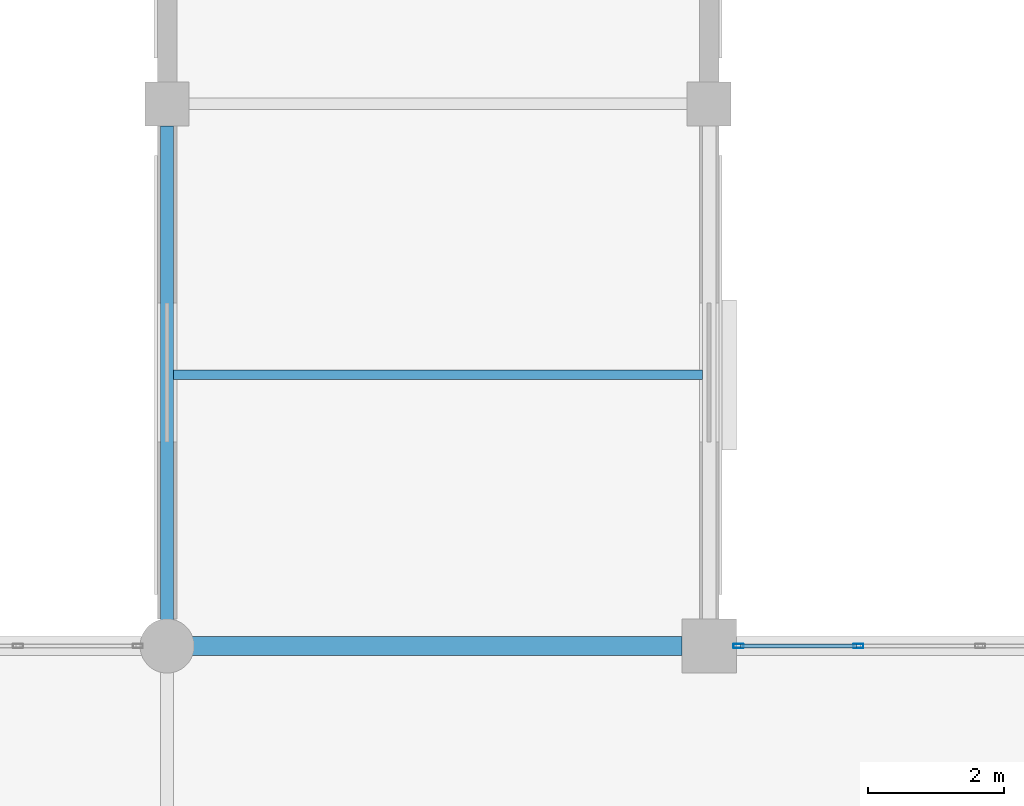
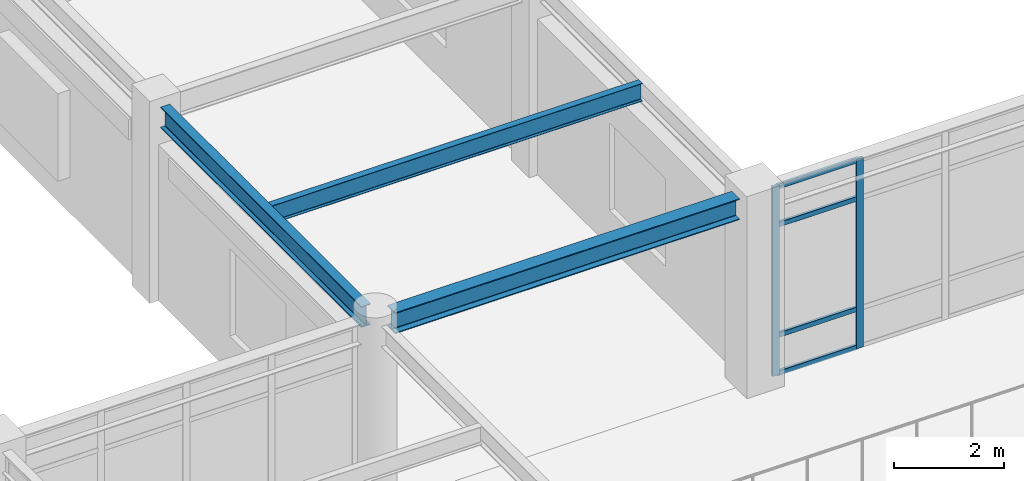
# One storey, part 37 of 75: 6 members, 3 beams, 1 element without a shape of its own.
"""IFC4 building model written with IfcOpenShell, lengths in metres."""

from ifc_helpers import new_model, si_unit, direction, frame, origin, origin_2d, place, context, subcontext, project, spatial, hollow_rectangle, i_section, extrude, material, material_profile, profile_set, type_object, element, aggregate, save


model = new_model("IFC4")

# Units and contexts
model_context = context("Model", 3, precision=1e-05, world=origin(), true_north=direction((0.0, 1.0)))
body_context = subcontext(model_context, "Body", "Model", "MODEL_VIEW")
ifc_project = project(units=[si_unit("LENGTHUNIT", "METRE"), si_unit("AREAUNIT", "SQUARE_METRE"), si_unit("VOLUMEUNIT", "CUBIC_METRE"), si_unit("PLANEANGLEUNIT", "RADIAN"), si_unit("MASSUNIT", "GRAM", prefix="KILO")], contexts=[model_context])

# Site, building, storey
site_placement = place(None, origin())
site = spatial("IfcSite", under=ifc_project, at=site_placement, CompositionType="ELEMENT")
building_placement = place(site_placement, origin())
building = spatial("IfcBuilding", under=site, at=building_placement, Name="Solmirada Galleria", CompositionType="ELEMENT")
storey_placement = place(building_placement, frame((0.0, 0.0, 19.39990234375)))
storey = spatial("IfcBuildingStorey", under=building, at=storey_placement, Name="L04", CompositionType="ELEMENT", Elevation=19.39990234375)

# Beams
ifc_material_1 = material(Name="Steel S355 / ASTM A992 Grade 50", Category="steel")
ifc_material_profile_1 = material_profile(ifc_material_1, i_section(OverallWidth=0.281982421875, OverallDepth=0.467041015625, WebThickness=0.01220703125, FlangeThickness=0.01953125, FilletRadius=0.013916015625, at=origin_2d()), Name="W18X86")
ifc_profile_set_1 = profile_set([ifc_material_profile_1], Name="Steel S355 / ASTM A992 Grade 50")
beam_type_1 = type_object("IfcBeamType", Name="BM-GIRD-W18A", PredefinedType="BEAM", material=ifc_profile_set_1)
beam_1_placement = place(storey_placement, frame((88.3359375, 72.0, 4.066650390625), z_axis=(1.0, 0.0, 0.0), x_axis=(0.0, 1.0, 0.0)))
element("IfcBeam", 1, at=beam_1_placement, inside=storey, type_object=beam_type_1, Name="Primary beam L05 X(88..96, 72)", PredefinedType="BEAM", context=body_context, shape_type="SweptSolid", body=[
    extrude(i_section(OverallWidth=0.281982421875, OverallDepth=0.467041015625, WebThickness=0.01220703125, FlangeThickness=0.01953125, FilletRadius=0.013916015625, at=origin_2d()), origin(), (0.0, 0.0, 1.0), 7.26416015625),
])
ifc_material_profile_2 = material_profile(ifc_material_1, i_section(OverallWidth=0.193115234375, OverallDepth=0.466064453125, WebThickness=0.011474609375, FlangeThickness=0.01904296875, FilletRadius=0.013916015625, at=origin_2d()), Name="W18X65")
ifc_profile_set_2 = profile_set([ifc_material_profile_2], Name="Steel S355 / ASTM A992 Grade 50")
beam_type_2 = type_object("IfcBeamType", Name="BM-GIRD-W18C", PredefinedType="BEAM", material=ifc_profile_set_2)
beam_2_placement = place(storey_placement, frame((88.0, 72.3359375, 4.067138671875), z_axis=(0.0, 1.0, 0.0), x_axis=(-1.0, 0.0, 0.0)))
element("IfcBeam", 2, at=beam_2_placement, inside=storey, type_object=beam_type_2, Name="Primary girder L05 Y(88, 72..80)", PredefinedType="BEAM", context=body_context, shape_type="SweptSolid", body=[
    extrude(i_section(OverallWidth=0.193115234375, OverallDepth=0.466064453125, WebThickness=0.011474609375, FlangeThickness=0.01904296875, FilletRadius=0.013916015625, at=origin_2d()), origin(), (0.0, 0.0, 1.0), 7.339111328125),
])
ifc_material_profile_3 = material_profile(ifc_material_1, i_section(OverallWidth=0.139892578125, OverallDepth=0.39892578125, WebThickness=0.00634765625, FlangeThickness=0.0087890625, FilletRadius=0.010986328125, at=origin_2d()), Name="W16X26")
ifc_profile_set_3 = profile_set([ifc_material_profile_3], Name="Steel S355 / ASTM A992 Grade 50")
beam_type_3 = type_object("IfcBeamType", Name="BM-JST-W16C", PredefinedType="JOIST", material=ifc_profile_set_3)
beam_3_placement = place(storey_placement, frame((88.096435546875, 76.0, 4.1005859375), z_axis=(1.0, 0.0, 0.0), x_axis=(0.0, 1.0, 0.0)))
element("IfcBeam", 3, at=beam_3_placement, inside=storey, type_object=beam_type_3, Name="Composite floor joist L05 (88..96, 76.0)", PredefinedType="JOIST", context=body_context, shape_type="SweptSolid", body=[
    extrude(i_section(OverallWidth=0.139892578125, OverallDepth=0.39892578125, WebThickness=0.00634765625, FlangeThickness=0.0087890625, FilletRadius=0.010986328125, at=origin_2d()), origin(), (0.0, 0.0, 1.0), 7.80712890625),
])

# Curtain wall, members
ifc_material_2 = material(Name="Impact-resistant low-E double glazing", Category="glass")
curtain_wall_type = type_object("IfcCurtainWallType", Name="CW-FZ3-L04-B4-L072", PredefinedType="NOTDEFINED", material=ifc_material_2)
curtain_wall_placement = place(storey_placement, origin())
curtain_wall = element("IfcCurtainWall", 4, at=curtain_wall_placement, inside=storey, type_object=curtain_wall_type, Name="Terrace and arcade storefront CW-L04-152", PredefinedType="NOTDEFINED")
ifc_material_3 = material(Name="Anodised aluminium framing", Category="aluminium")
ifc_material_profile_4 = material_profile(ifc_material_3, hollow_rectangle(XDim=0.06005859375, YDim=0.14990234375, WallThickness=0.00341796875, InnerFilletRadius=0.00341796875, OuterFilletRadius=0.007080078125, at=origin_2d()), Name="ALU-MULL-150X60")
ifc_profile_set_4 = profile_set([ifc_material_profile_4], Name="Anodised aluminium framing")
member_type_1 = type_object("IfcMemberType", Name="CW-MULL-150", PredefinedType="MULLION", material=ifc_profile_set_4)
member_1_placement = place(storey_placement, frame((96.431884765625, 72.0, 0.0), z_axis=(0.0, 0.0, 1.0), x_axis=(0.0, 1.0, 0.0)))
member_1 = element("IfcMember", 5, at=member_1_placement, type_object=member_type_1, Name="CW30 mullion 1", PredefinedType="MULLION", context=body_context, shape_type="SweptSolid", body=[
    extrude(hollow_rectangle(XDim=0.06005859375, YDim=0.14990234375, WallThickness=0.00341796875, InnerFilletRadius=0.00341796875, OuterFilletRadius=0.007080078125, at=origin_2d()), origin(), (0.0, 0.0, 1.0), 4.22021484375),
])
member_2_placement = place(storey_placement, frame((98.200927734375, 72.0, 0.0), z_axis=(0.0, 0.0, 1.0), x_axis=(0.0, 1.0, 0.0)))
member_2 = element("IfcMember", 6, at=member_2_placement, type_object=member_type_1, Name="CW30 mullion 2", PredefinedType="MULLION", context=body_context, shape_type="SweptSolid", body=[
    extrude(hollow_rectangle(XDim=0.06005859375, YDim=0.14990234375, WallThickness=0.00341796875, InnerFilletRadius=0.00341796875, OuterFilletRadius=0.007080078125, at=origin_2d()), origin(), (0.0, 0.0, 1.0), 4.22021484375),
])
ifc_material_profile_5 = material_profile(ifc_material_3, hollow_rectangle(XDim=0.06005859375, YDim=0.110107421875, WallThickness=0.003173828125, InnerFilletRadius=0.003173828125, OuterFilletRadius=0.00634765625, at=origin_2d()), Name="ALU-TRAN-110X60")
ifc_profile_set_5 = profile_set([ifc_material_profile_5], Name="Anodised aluminium framing")
member_type_2 = type_object("IfcMemberType", Name="CW-TRAN-110", PredefinedType="USERDEFINED", material=ifc_profile_set_5)
member_3_placement = place(storey_placement, frame((96.4619140625, 72.0, 0.030029296875), z_axis=(1.0, 0.0, 0.0), x_axis=(0.0, 1.0, 0.0)))
member_3 = element("IfcMember", 7, at=member_3_placement, type_object=member_type_2, Name="CW30 transom 1.1", ObjectType="TRANSOM", PredefinedType="USERDEFINED", context=body_context, shape_type="SweptSolid", body=[
    extrude(hollow_rectangle(XDim=0.06005859375, YDim=0.110107421875, WallThickness=0.003173828125, InnerFilletRadius=0.003173828125, OuterFilletRadius=0.00634765625, at=origin_2d()), origin(), (0.0, 0.0, 1.0), 1.708984375),
])
member_4_placement = place(storey_placement, frame((96.4619140625, 72.0, 0.880126953125), z_axis=(1.0, 0.0, 0.0), x_axis=(0.0, 1.0, 0.0)))
member_4 = element("IfcMember", 8, at=member_4_placement, type_object=member_type_2, Name="CW30 transom 1.2", ObjectType="TRANSOM", PredefinedType="USERDEFINED", context=body_context, shape_type="SweptSolid", body=[
    extrude(hollow_rectangle(XDim=0.06005859375, YDim=0.110107421875, WallThickness=0.003173828125, InnerFilletRadius=0.003173828125, OuterFilletRadius=0.00634765625, at=origin_2d()), origin(), (0.0, 0.0, 1.0), 1.708984375),
])
member_5_placement = place(storey_placement, frame((96.4619140625, 72.0, 3.340087890625), z_axis=(1.0, 0.0, 0.0), x_axis=(0.0, 1.0, 0.0)))
member_5 = element("IfcMember", 9, at=member_5_placement, type_object=member_type_2, Name="CW30 transom 1.3", ObjectType="TRANSOM", PredefinedType="USERDEFINED", context=body_context, shape_type="SweptSolid", body=[
    extrude(hollow_rectangle(XDim=0.06005859375, YDim=0.110107421875, WallThickness=0.003173828125, InnerFilletRadius=0.003173828125, OuterFilletRadius=0.00634765625, at=origin_2d()), origin(), (0.0, 0.0, 1.0), 1.708984375),
])
member_6_placement = place(storey_placement, frame((96.4619140625, 72.0, 4.190185546875), z_axis=(1.0, 0.0, 0.0), x_axis=(0.0, 1.0, 0.0)))
member_6 = element("IfcMember", 10, at=member_6_placement, type_object=member_type_2, Name="CW30 transom 1.4", ObjectType="TRANSOM", PredefinedType="USERDEFINED", context=body_context, shape_type="SweptSolid", body=[
    extrude(hollow_rectangle(XDim=0.06005859375, YDim=0.110107421875, WallThickness=0.003173828125, InnerFilletRadius=0.003173828125, OuterFilletRadius=0.00634765625, at=origin_2d()), origin(), (0.0, 0.0, 1.0), 1.708984375),
])
aggregate(curtain_wall, [member_1, member_2, member_3, member_4, member_5, member_6])

save(model, "model.ifc")
